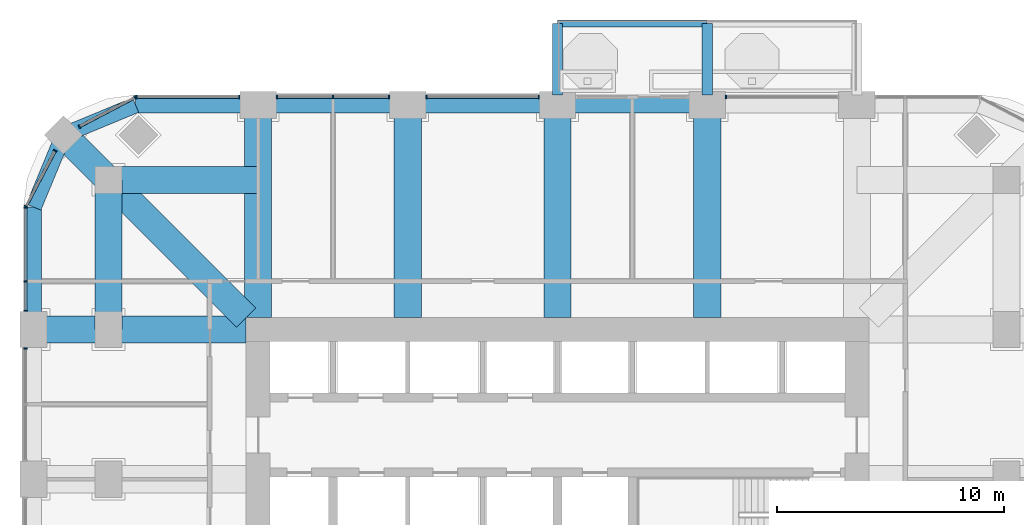
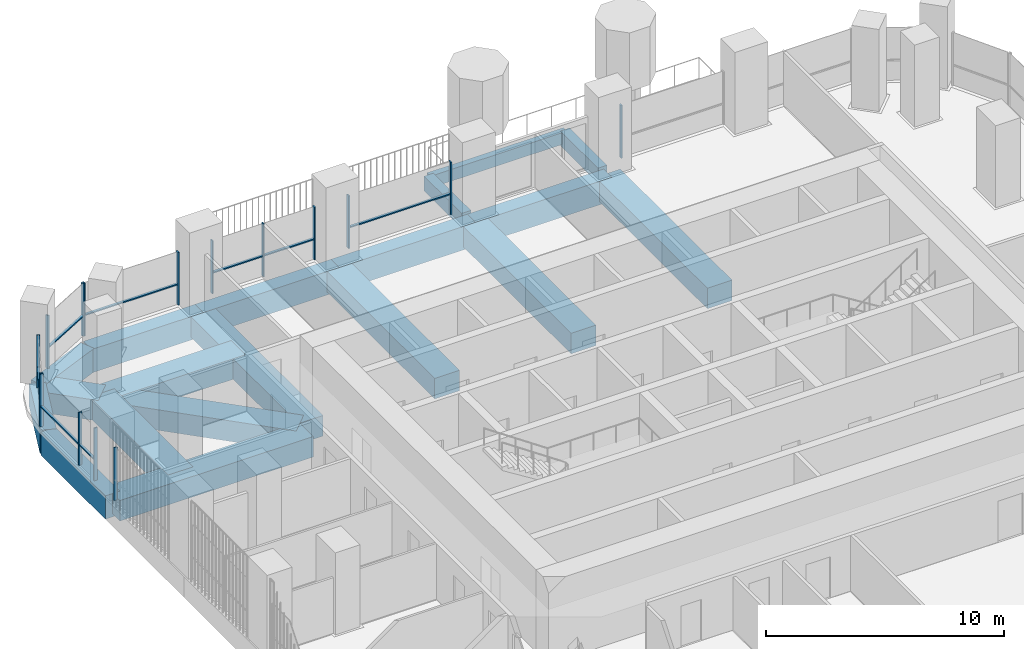
# One storey, part 6 of 19: 24 members, 19 beams, 8 elements without a shape of their own.
"""IFC4 building model written with IfcOpenShell, lengths in metres."""

from ifc_helpers import new_model, si_unit, direction, frame, origin, origin_2d, place, context, subcontext, project, spatial, rectangle, extrude, material, material_profile, profile_set, type_object, element, aggregate, save


model = new_model("IFC4")

# Units and contexts
model_context = context("Model", 3, precision=1e-05, world=origin(), true_north=direction((0.0, 1.0)))
body_context = subcontext(model_context, "Body", "Model", "MODEL_VIEW")
ifc_project = project(units=[si_unit("LENGTHUNIT", "METRE"), si_unit("AREAUNIT", "SQUARE_METRE"), si_unit("VOLUMEUNIT", "CUBIC_METRE"), si_unit("PLANEANGLEUNIT", "RADIAN"), si_unit("MASSUNIT", "GRAM", prefix="KILO")], contexts=[model_context])

# Site, building, storey
site_placement = place(None, origin())
site = spatial("IfcSite", under=ifc_project, at=site_placement, CompositionType="ELEMENT")
building_placement = place(site_placement, origin())
building = spatial("IfcBuilding", under=site, at=building_placement, Name="Cobogo Forest Laboratory Tower", CompositionType="ELEMENT")
storey_placement = place(building_placement, frame((0.0, 0.0, 164.10009765625)))
storey = spatial("IfcBuildingStorey", under=building, at=storey_placement, Name="L37", CompositionType="ELEMENT", Elevation=164.10009765625)

# Beams
ifc_material_1 = material(Name="Concrete HA-40 (C40/50)", Category="concrete")
ifc_material_profile_1 = material_profile(ifc_material_1, rectangle(XDim=0.449951171875, YDim=0.75, at=origin_2d()), Name="RC 450x750")
ifc_profile_set_1 = profile_set([ifc_material_profile_1], Name="Concrete HA-40 (C40/50)")
beam_type_1 = type_object("IfcBeamType", Name="Balcony cantilever beam 450x750", PredefinedType="BEAM", material=ifc_profile_set_1)
for number, where, z_axis, x_axis, name in (
    (1, (26.39990234375, 43.35009765625, -0.625), (0.0, 1.0, 0.0), (-1.0, 0.0, 0.0), "CB1 BAL-N1-C1 L37"),
    (2, (33.0, 43.35009765625, -0.625), (0.0, 1.0, 0.0), (-1.0, 0.0, 0.0), "CB1 BAL-N1-C2 L37"),
):
    element("IfcBeam", number, at=place(storey_placement, frame(where, z_axis=z_axis, x_axis=x_axis)), inside=storey, type_object=beam_type_1, Name=name, PredefinedType="BEAM", context=body_context, shape_type="SweptSolid", body=[
        extrude(rectangle(XDim=0.449951171875, YDim=0.75, at=origin_2d()), origin(), (0.0, 0.0, 1.0), 3.14990234375),
    ])
ifc_material_profile_2 = material_profile(ifc_material_1, rectangle(XDim=0.300048828125, YDim=0.60009765625, at=origin_2d()), Name="RC 300x600")
ifc_profile_set_2 = profile_set([ifc_material_profile_2], Name="Concrete HA-40 (C40/50)")
beam_type_2 = type_object("IfcBeamType", Name="Balcony edge beam 300x600", PredefinedType="BEAM", material=ifc_profile_set_2)
beam_1_placement = place(storey_placement, frame((26.39990234375, 46.5, -0.550048828125), z_axis=(1.0, 0.0, 0.0), x_axis=(0.0, 1.0, 0.0)))
element("IfcBeam", 3, at=beam_1_placement, inside=storey, type_object=beam_type_2, Name="BB1 BAL-N1-T1 L37", PredefinedType="BEAM", context=body_context, shape_type="SweptSolid", body=[
    extrude(rectangle(XDim=0.300048828125, YDim=0.60009765625, at=origin_2d()), origin(), (0.0, 0.0, 1.0), 6.60009765625),
])
ifc_material_profile_3 = material_profile(ifc_material_1, rectangle(XDim=1.199951171875, YDim=1.050048828125, at=origin_2d()), Name="RC 1200x1050")
ifc_profile_set_3 = profile_set([ifc_material_profile_3], Name="Concrete HA-40 (C40/50)")
beam_type_3 = type_object("IfcBeamType", Name="Laboratory floor wide beam 1200x1050", PredefinedType="BEAM", material=ifc_profile_set_3)
for number, where, z_axis, x_axis, name in (
    (4, (13.199951171875, 33.52490234375, -0.8251953125), (0.0, 1.0, 0.0), (-1.0, 0.0, 0.0), "RB1 R-3-N L37"),
    (5, (19.800048828125, 33.52490234375, -0.8251953125), (0.0, 1.0, 0.0), (-1.0, 0.0, 0.0), "RB1 R-4-N L37"),
    (6, (26.39990234375, 33.52490234375, -0.8251953125), (0.0, 1.0, 0.0), (-1.0, 0.0, 0.0), "RB1 R-5-N L37"),
    (7, (33.0, 33.52490234375, -0.8251953125), (0.0, 1.0, 0.0), (-1.0, 0.0, 0.0), "RB1 R-6-N L37"),
    (8, (12.675048828125, 33.0, -0.8251953125), (-1.0, 0.0, 0.0), (0.0, -1.0, 0.0), "RB1 R-F-W L37"),
):
    element("IfcBeam", number, at=place(storey_placement, frame(where, z_axis=z_axis, x_axis=x_axis)), inside=storey, type_object=beam_type_3, Name=name, PredefinedType="BEAM", context=body_context, shape_type="SweptSolid", body=[
        extrude(rectangle(XDim=1.199951171875, YDim=1.050048828125, at=origin_2d()), origin(), (0.0, 0.0, 1.0), 9.375),
    ])
beam_2_placement = place(storey_placement, frame((6.60009765625, 39.60009765625, -0.8251953125), z_axis=(0.0, -1.0, 0.0), x_axis=(1.0, 0.0, 0.0)))
element("IfcBeam", 9, at=beam_2_placement, inside=storey, type_object=beam_type_3, Name="RB1 G-NW-XC L37", PredefinedType="BEAM", context=body_context, shape_type="SweptSolid", body=[
    extrude(rectangle(XDim=1.199951171875, YDim=1.050048828125, at=origin_2d()), origin(), (0.0, 0.0, 1.0), 6.60009765625),
])
beam_3_placement = place(storey_placement, frame((6.60009765625, 39.60009765625, -0.8251953125), z_axis=(1.0, 0.0, 0.0), x_axis=(0.0, 1.0, 0.0)))
element("IfcBeam", 10, at=beam_3_placement, inside=storey, type_object=beam_type_3, Name="RB1 G-NW-YC L37", PredefinedType="BEAM", context=body_context, shape_type="SweptSolid", body=[
    extrude(rectangle(XDim=1.199951171875, YDim=1.050048828125, at=origin_2d()), origin(), (0.0, 0.0, 1.0), 6.599853515625),
])
beam_4_placement = place(storey_placement, frame((4.617919921875, 41.58203125, -0.8251953125), z_axis=(0.707150328948, -0.707063230743, 0.0), x_axis=(0.707063230743, 0.707150328948, 0.0)))
element("IfcBeam", 11, at=beam_4_placement, inside=storey, type_object=beam_type_3, Name="RB1 G-NW-D1 L37", PredefinedType="BEAM", context=body_context, shape_type="SweptSolid", body=[
    extrude(rectangle(XDim=1.199951171875, YDim=1.050048828125, at=origin_2d()), origin(), (0.0, 0.0, 1.0), 2.802978515625),
])
beam_5_placement = place(storey_placement, frame((6.60009765625, 39.60009765625, -0.8251953125), z_axis=(0.707092572697, -0.70712098939, 0.0), x_axis=(0.70712098939, 0.707092572697, 0.0)))
element("IfcBeam", 12, at=beam_5_placement, inside=storey, type_object=beam_type_3, Name="RB1 G-NW-D2 L37", PredefinedType="BEAM", context=body_context, shape_type="SweptSolid", body=[
    extrude(rectangle(XDim=1.199951171875, YDim=1.050048828125, at=origin_2d()), origin(), (0.0, 0.0, 1.0), 8.591552734375),
])

# Curtain wall, member
ifc_material_2 = material(Name="Aluminium curtain wall", Category="aluminium")
curtain_wall_type = type_object("IfcCurtainWallType", Name="CW-2 unitised curtain wall, solar control glazing, laboratory floors zones C and D", PredefinedType="USERDEFINED", material=ifc_material_2)
curtain_wall_1_placement = place(storey_placement, origin())
curtain_wall_1 = element("IfcCurtainWall", 13, at=curtain_wall_1_placement, inside=storey, type_object=curtain_wall_type, Name="Curtain wall 17 L37", ObjectType="UNITISED CURTAIN WALL", PredefinedType="USERDEFINED")
ifc_material_3 = material(Name="Aluminium mullion", Category="aluminium")
ifc_material_profile_4 = material_profile(ifc_material_3, rectangle(XDim=0.06005859375, YDim=0.159912109375, at=origin_2d()), Name="AL 60x160")
ifc_profile_set_4 = profile_set([ifc_material_profile_4], Name="Aluminium mullion")
member_type_1 = type_object("IfcMemberType", Name="MU-1 aluminium mullion 60x160", PredefinedType="MULLION", material=ifc_profile_set_4)
member_1_placement = place(storey_placement, frame((33.830078125, 43.25, 0.0), z_axis=(0.0, 0.0, 1.0), x_axis=(-1.0, 0.0, 0.0)))
member_1 = element("IfcMember", 14, at=member_1_placement, type_object=member_type_1, Name="CW-2 mullion 2", PredefinedType="MULLION", context=body_context, shape_type="SweptSolid", body=[
    extrude(rectangle(XDim=0.06005859375, YDim=0.159912109375, at=origin_2d()), origin(), (0.0, 0.0, 1.0), 2.699951171875),
])
aggregate(curtain_wall_1, [member_1])

# Curtain wall, members
curtain_wall_2_placement = place(storey_placement, origin())
curtain_wall_2 = element("IfcCurtainWall", 15, at=curtain_wall_2_placement, inside=storey, type_object=curtain_wall_type, Name="Curtain wall 19 L37", ObjectType="UNITISED CURTAIN WALL", PredefinedType="USERDEFINED")
member_2_placement = place(storey_placement, frame((25.570068359375, 43.25, 0.0), z_axis=(0.0, 0.0, 1.0), x_axis=(-1.0, 0.0, 0.0)))
member_2 = element("IfcMember", 16, at=member_2_placement, type_object=member_type_1, Name="CW-2 mullion 1", PredefinedType="MULLION", context=body_context, shape_type="SweptSolid", body=[
    extrude(rectangle(XDim=0.06005859375, YDim=0.159912109375, at=origin_2d()), origin(), (0.0, 0.0, 1.0), 2.699951171875),
])
member_3_placement = place(storey_placement, frame((20.6298828125, 43.25, 0.0), z_axis=(0.0, 0.0, 1.0), x_axis=(-1.0, 0.0, 0.0)))
member_3 = element("IfcMember", 17, at=member_3_placement, type_object=member_type_1, Name="CW-2 mullion 2", PredefinedType="MULLION", context=body_context, shape_type="SweptSolid", body=[
    extrude(rectangle(XDim=0.06005859375, YDim=0.159912109375, at=origin_2d()), origin(), (0.0, 0.0, 1.0), 2.699951171875),
])

curtain_wall_3_placement = place(storey_placement, origin())
curtain_wall_3 = element("IfcCurtainWall", 18, at=curtain_wall_3_placement, inside=storey, type_object=curtain_wall_type, Name="Curtain wall 20 L37", ObjectType="UNITISED CURTAIN WALL", PredefinedType="USERDEFINED")
member_4_placement = place(storey_placement, frame((18.969970703125, 43.25, 0.0), z_axis=(0.0, 0.0, 1.0), x_axis=(-1.0, 0.0, 0.0)))
member_4 = element("IfcMember", 19, at=member_4_placement, type_object=member_type_1, Name="CW-2 mullion 1", PredefinedType="MULLION", context=body_context, shape_type="SweptSolid", body=[
    extrude(rectangle(XDim=0.06005859375, YDim=0.159912109375, at=origin_2d()), origin(), (0.0, 0.0, 1.0), 2.699951171875),
])
member_5_placement = place(storey_placement, frame((16.5, 43.25, 0.0), z_axis=(0.0, 0.0, 1.0), x_axis=(-1.0, 0.0, 0.0)))
member_5 = element("IfcMember", 20, at=member_5_placement, type_object=member_type_1, Name="CW-2 mullion 2", PredefinedType="MULLION", context=body_context, shape_type="SweptSolid", body=[
    extrude(rectangle(XDim=0.06005859375, YDim=0.159912109375, at=origin_2d()), origin(), (0.0, 0.0, 1.0), 2.699951171875),
])
member_6_placement = place(storey_placement, frame((14.030029296875, 43.25, 0.0), z_axis=(0.0, 0.0, 1.0), x_axis=(-1.0, 0.0, 0.0)))
member_6 = element("IfcMember", 21, at=member_6_placement, type_object=member_type_1, Name="CW-2 mullion 3", PredefinedType="MULLION", context=body_context, shape_type="SweptSolid", body=[
    extrude(rectangle(XDim=0.06005859375, YDim=0.159912109375, at=origin_2d()), origin(), (0.0, 0.0, 1.0), 2.699951171875),
])

curtain_wall_4_placement = place(storey_placement, origin())
curtain_wall_4 = element("IfcCurtainWall", 22, at=curtain_wall_4_placement, inside=storey, type_object=curtain_wall_type, Name="Curtain wall 21 L37", ObjectType="UNITISED CURTAIN WALL", PredefinedType="USERDEFINED")
member_7_placement = place(storey_placement, frame((12.3701171875, 43.25, 0.0), z_axis=(0.0, 0.0, 1.0), x_axis=(-1.0, 0.0, 0.0)))
member_7 = element("IfcMember", 23, at=member_7_placement, type_object=member_type_1, Name="CW-2 mullion 1", PredefinedType="MULLION", context=body_context, shape_type="SweptSolid", body=[
    extrude(rectangle(XDim=0.06005859375, YDim=0.159912109375, at=origin_2d()), origin(), (0.0, 0.0, 1.0), 2.699951171875),
])
member_8_placement = place(storey_placement, frame((7.830078125, 43.25, 0.0), z_axis=(0.0, 0.0, 1.0), x_axis=(-1.0, 0.0, 0.0)))
member_8 = element("IfcMember", 24, at=member_8_placement, type_object=member_type_1, Name="CW-2 mullion 2", PredefinedType="MULLION", context=body_context, shape_type="SweptSolid", body=[
    extrude(rectangle(XDim=0.06005859375, YDim=0.159912109375, at=origin_2d()), origin(), (0.0, 0.0, 1.0), 2.699951171875),
])

curtain_wall_5_placement = place(storey_placement, origin())
curtain_wall_5 = element("IfcCurtainWall", 25, at=curtain_wall_5_placement, inside=storey, type_object=curtain_wall_type, Name="Curtain wall 22 L37", ObjectType="UNITISED CURTAIN WALL", PredefinedType="USERDEFINED")
member_9_placement = place(storey_placement, frame((7.7734375, 43.236083984375, 0.0), z_axis=(0.0, 0.0, 1.0), x_axis=(-0.885686477022, -0.464283818822, 0.0)))
member_9 = element("IfcMember", 26, at=member_9_placement, type_object=member_type_1, Name="CW-2 mullion 1", PredefinedType="MULLION", context=body_context, shape_type="SweptSolid", body=[
    extrude(rectangle(XDim=0.06005859375, YDim=0.159912109375, at=origin_2d()), origin(), (0.0, 0.0, 1.0), 2.699951171875),
])
member_10_placement = place(storey_placement, frame((5.322021484375, 41.950927734375, 0.0), z_axis=(0.0, 0.0, 1.0), x_axis=(-0.885686477022, -0.464283818822, 0.0)))
member_10 = element("IfcMember", 27, at=member_10_placement, type_object=member_type_1, Name="CW-2 mullion 2", PredefinedType="MULLION", context=body_context, shape_type="SweptSolid", body=[
    extrude(rectangle(XDim=0.06005859375, YDim=0.159912109375, at=origin_2d()), origin(), (0.0, 0.0, 1.0), 2.699951171875),
])

curtain_wall_6_placement = place(storey_placement, origin())
curtain_wall_6 = element("IfcCurtainWall", 28, at=curtain_wall_6_placement, inside=storey, type_object=curtain_wall_type, Name="Curtain wall 23 L37", ObjectType="UNITISED CURTAIN WALL", PredefinedType="USERDEFINED")
member_11_placement = place(storey_placement, frame((4.2490234375, 40.878173828125, 0.0), z_axis=(0.0, 0.0, 1.0), x_axis=(-0.464283818822, -0.885686477022, 0.0)))
member_11 = element("IfcMember", 29, at=member_11_placement, type_object=member_type_1, Name="CW-2 mullion 1", PredefinedType="MULLION", context=body_context, shape_type="SweptSolid", body=[
    extrude(rectangle(XDim=0.06005859375, YDim=0.159912109375, at=origin_2d()), origin(), (0.0, 0.0, 1.0), 2.699951171875),
])
member_12_placement = place(storey_placement, frame((2.9638671875, 38.426513671875, 0.0), z_axis=(0.0, 0.0, 1.0), x_axis=(-0.464283818822, -0.885686477022, 0.0)))
member_12 = element("IfcMember", 30, at=member_12_placement, type_object=member_type_1, Name="CW-2 mullion 2", PredefinedType="MULLION", context=body_context, shape_type="SweptSolid", body=[
    extrude(rectangle(XDim=0.06005859375, YDim=0.159912109375, at=origin_2d()), origin(), (0.0, 0.0, 1.0), 2.699951171875),
])

curtain_wall_7_placement = place(storey_placement, origin())
curtain_wall_7 = element("IfcCurtainWall", 31, at=curtain_wall_7_placement, inside=storey, type_object=curtain_wall_type, Name="Curtain wall 24 L37", ObjectType="UNITISED CURTAIN WALL", PredefinedType="USERDEFINED")
member_13_placement = place(storey_placement, frame((2.949951171875, 38.3701171875, 0.0), z_axis=(0.0, 0.0, 1.0), x_axis=(0.0, -1.0, 0.0)))
member_13 = element("IfcMember", 32, at=member_13_placement, type_object=member_type_1, Name="CW-2 mullion 1", PredefinedType="MULLION", context=body_context, shape_type="SweptSolid", body=[
    extrude(rectangle(XDim=0.06005859375, YDim=0.159912109375, at=origin_2d()), origin(), (0.0, 0.0, 1.0), 2.699951171875),
])
member_14_placement = place(storey_placement, frame((2.949951171875, 35.125, 0.0), z_axis=(0.0, 0.0, 1.0), x_axis=(0.0, -1.0, 0.0)))
member_14 = element("IfcMember", 33, at=member_14_placement, type_object=member_type_1, Name="CW-2 mullion 2", PredefinedType="MULLION", context=body_context, shape_type="SweptSolid", body=[
    extrude(rectangle(XDim=0.06005859375, YDim=0.159912109375, at=origin_2d()), origin(), (0.0, 0.0, 1.0), 2.699951171875),
])
member_15_placement = place(storey_placement, frame((2.949951171875, 33.830078125, 0.0), z_axis=(0.0, 0.0, 1.0), x_axis=(0.0, -1.0, 0.0)))
member_15 = element("IfcMember", 34, at=member_15_placement, type_object=member_type_1, Name="CW-2 mullion 3", PredefinedType="MULLION", context=body_context, shape_type="SweptSolid", body=[
    extrude(rectangle(XDim=0.06005859375, YDim=0.159912109375, at=origin_2d()), origin(), (0.0, 0.0, 1.0), 2.699951171875),
])

# Curtain wall, member
curtain_wall_8_placement = place(storey_placement, origin())
curtain_wall_8 = element("IfcCurtainWall", 35, at=curtain_wall_8_placement, inside=storey, type_object=curtain_wall_type, Name="Curtain wall 25 L37", ObjectType="UNITISED CURTAIN WALL", PredefinedType="USERDEFINED")
member_16_placement = place(storey_placement, frame((2.949951171875, 32.169921875, 0.0), z_axis=(0.0, 0.0, 1.0), x_axis=(0.0, -1.0, 0.0)))
member_16 = element("IfcMember", 36, at=member_16_placement, type_object=member_type_1, Name="CW-2 mullion 1", PredefinedType="MULLION", context=body_context, shape_type="SweptSolid", body=[
    extrude(rectangle(XDim=0.06005859375, YDim=0.159912109375, at=origin_2d()), origin(), (0.0, 0.0, 1.0), 2.699951171875),
])
aggregate(curtain_wall_8, [member_16])

# Beams
ifc_material_profile_5 = material_profile(ifc_material_1, rectangle(XDim=0.699951171875, YDim=1.199951171875, at=origin_2d()), Name="RC 700x1200")
ifc_profile_set_5 = profile_set([ifc_material_profile_5], Name="Concrete HA-40 (C40/50)")
beam_type_4 = type_object("IfcBeamType", Name="Perimeter edge beam 700x1200", PredefinedType="BEAM", material=ifc_profile_set_5)
beam_6_placement = place(storey_placement, frame((13.199951171875, 42.89990234375, -0.900146484375), z_axis=(1.0, 0.0, 0.0), x_axis=(0.0, 1.0, 0.0)))
element("IfcBeam", 37, at=beam_6_placement, inside=storey, type_object=beam_type_4, Name="EB1 E-N1 L37", PredefinedType="BEAM", context=body_context, shape_type="SweptSolid", body=[
    extrude(rectangle(XDim=0.699951171875, YDim=1.199951171875, at=origin_2d()), origin(), (0.0, 0.0, 1.0), 6.60009765625),
])
beam_7_placement = place(storey_placement, frame((19.800048828125, 42.89990234375, -0.900146484375), z_axis=(1.0, 0.0, 0.0), x_axis=(0.0, 1.0, 0.0)))
element("IfcBeam", 38, at=beam_7_placement, inside=storey, type_object=beam_type_4, Name="EB1 E-N2 L37", PredefinedType="BEAM", context=body_context, shape_type="SweptSolid", body=[
    extrude(rectangle(XDim=0.699951171875, YDim=1.199951171875, at=origin_2d()), origin(), (0.0, 0.0, 1.0), 6.599853515625),
])
beam_8_placement = place(storey_placement, frame((26.39990234375, 42.89990234375, -0.900146484375), z_axis=(1.0, 0.0, 0.0), x_axis=(0.0, 1.0, 0.0)))
element("IfcBeam", 39, at=beam_8_placement, inside=storey, type_object=beam_type_4, Name="EB1 E-N3 L37", PredefinedType="BEAM", context=body_context, shape_type="SweptSolid", body=[
    extrude(rectangle(XDim=0.699951171875, YDim=1.199951171875, at=origin_2d()), origin(), (0.0, 0.0, 1.0), 6.60009765625),
])
beam_9_placement = place(storey_placement, frame((13.199951171875, 42.89990234375, -0.900146484375), z_axis=(-1.0, 0.0, 0.0), x_axis=(0.0, -1.0, 0.0)))
element("IfcBeam", 40, at=beam_9_placement, inside=storey, type_object=beam_type_4, Name="EB1 E-NWN1 L37", PredefinedType="BEAM", context=body_context, shape_type="SweptSolid", body=[
    extrude(rectangle(XDim=0.699951171875, YDim=1.199951171875, at=origin_2d()), origin(), (0.0, 0.0, 1.0), 5.39990234375),
])
beam_10_placement = place(storey_placement, frame((7.800048828125, 42.89990234375, -0.900146484375), z_axis=(-0.923901072997, -0.382631424892, 0.0), x_axis=(0.382631424892, -0.923901072997, 0.0)))
element("IfcBeam", 41, at=beam_10_placement, inside=storey, type_object=beam_type_4, Name="EB1 E-NWN2 L37", PredefinedType="BEAM", context=body_context, shape_type="SweptSolid", body=[
    extrude(rectangle(XDim=0.699951171875, YDim=1.199951171875, at=origin_2d()), origin(), (0.0, 0.0, 1.0), 3.4443359375),
])
beam_11_placement = place(storey_placement, frame((3.300048828125, 33.0, -0.900146484375), z_axis=(0.0, 1.0, 0.0), x_axis=(-1.0, 0.0, 0.0)))
element("IfcBeam", 42, at=beam_11_placement, inside=storey, type_object=beam_type_4, Name="EB1 E-NWW1 L37", PredefinedType="BEAM", context=body_context, shape_type="SweptSolid", body=[
    extrude(rectangle(XDim=0.699951171875, YDim=1.199951171875, at=origin_2d()), origin(), (0.0, 0.0, 1.0), 5.39990234375),
])
beam_12_placement = place(storey_placement, frame((3.300048828125, 38.39990234375, -0.900146484375), z_axis=(0.382631424892, 0.923901072997, 0.0), x_axis=(-0.923901072997, 0.382631424892, 0.0)))
element("IfcBeam", 43, at=beam_12_placement, inside=storey, type_object=beam_type_4, Name="EB1 E-NWW2 L37", PredefinedType="BEAM", context=body_context, shape_type="SweptSolid", body=[
    extrude(rectangle(XDim=0.699951171875, YDim=1.199951171875, at=origin_2d()), origin(), (0.0, 0.0, 1.0), 3.4443359375),
])

# Member
ifc_material_4 = material(Name="Aluminium transom", Category="aluminium")
ifc_material_profile_6 = material_profile(ifc_material_4, rectangle(XDim=0.1201171875, YDim=0.06005859375, at=origin_2d()), Name="AL 60x120")
ifc_profile_set_6 = profile_set([ifc_material_profile_6], Name="Aluminium transom")
member_type_2 = type_object("IfcMemberType", Name="TR-1 aluminium transom 60x120", PredefinedType="USERDEFINED", material=ifc_profile_set_6)
member_17_placement = place(storey_placement, frame((25.5400390625, 43.25, 1.0498046875), z_axis=(-1.0, 0.0, 0.0), x_axis=(0.0, -1.0, 0.0)))
member_17 = element("IfcMember", 44, at=member_17_placement, type_object=member_type_2, Name="CW-2 transom 1.1", ObjectType="TRANSOM", PredefinedType="USERDEFINED", context=body_context, shape_type="SweptSolid", body=[
    extrude(rectangle(XDim=0.1201171875, YDim=0.06005859375, at=origin_2d()), origin(), (0.0, 0.0, 1.0), 4.880126953125),
])

aggregate(curtain_wall_2, [member_2, member_3, member_17])

member_18_placement = place(storey_placement, frame((18.93994140625, 43.25, 1.0498046875), z_axis=(-1.0, 0.0, 0.0), x_axis=(0.0, -1.0, 0.0)))
member_18 = element("IfcMember", 45, at=member_18_placement, type_object=member_type_2, Name="CW-2 transom 1.1", ObjectType="TRANSOM", PredefinedType="USERDEFINED", context=body_context, shape_type="SweptSolid", body=[
    extrude(rectangle(XDim=0.1201171875, YDim=0.06005859375, at=origin_2d()), origin(), (0.0, 0.0, 1.0), 2.409912109375),
])

member_19_placement = place(storey_placement, frame((16.469970703125, 43.25, 1.0498046875), z_axis=(-1.0, 0.0, 0.0), x_axis=(0.0, -1.0, 0.0)))
member_19 = element("IfcMember", 46, at=member_19_placement, type_object=member_type_2, Name="CW-2 transom 2.1", ObjectType="TRANSOM", PredefinedType="USERDEFINED", context=body_context, shape_type="SweptSolid", body=[
    extrude(rectangle(XDim=0.1201171875, YDim=0.06005859375, at=origin_2d()), origin(), (0.0, 0.0, 1.0), 2.409912109375),
])

aggregate(curtain_wall_3, [member_4, member_5, member_6, member_18, member_19])

member_20_placement = place(storey_placement, frame((12.340087890625, 43.25, 1.0498046875), z_axis=(-1.0, 0.0, 0.0), x_axis=(0.0, -1.0, 0.0)))
member_20 = element("IfcMember", 47, at=member_20_placement, type_object=member_type_2, Name="CW-2 transom 1.1", ObjectType="TRANSOM", PredefinedType="USERDEFINED", context=body_context, shape_type="SweptSolid", body=[
    extrude(rectangle(XDim=0.1201171875, YDim=0.06005859375, at=origin_2d()), origin(), (0.0, 0.0, 1.0), 4.47998046875),
])

aggregate(curtain_wall_4, [member_7, member_8, member_20])

member_21_placement = place(storey_placement, frame((7.746826171875, 43.22216796875, 1.0498046875), z_axis=(-0.885679732847, -0.464296684055, 0.0), x_axis=(0.464296684055, -0.885679732847, 0.0)))
member_21 = element("IfcMember", 48, at=member_21_placement, type_object=member_type_2, Name="CW-2 transom 1.1", ObjectType="TRANSOM", PredefinedType="USERDEFINED", context=body_context, shape_type="SweptSolid", body=[
    extrude(rectangle(XDim=0.1201171875, YDim=0.06005859375, at=origin_2d()), origin(), (0.0, 0.0, 1.0), 2.7080078125),
])

aggregate(curtain_wall_5, [member_9, member_10, member_21])

member_22_placement = place(storey_placement, frame((4.235107421875, 40.8515625, 1.0498046875), z_axis=(-0.464296684055, -0.885679732847, 0.0), x_axis=(0.885679732847, -0.464296684055, 0.0)))
member_22 = element("IfcMember", 49, at=member_22_placement, type_object=member_type_2, Name="CW-2 transom 1.1", ObjectType="TRANSOM", PredefinedType="USERDEFINED", context=body_context, shape_type="SweptSolid", body=[
    extrude(rectangle(XDim=0.1201171875, YDim=0.06005859375, at=origin_2d()), origin(), (0.0, 0.0, 1.0), 2.7080078125),
])

aggregate(curtain_wall_6, [member_11, member_12, member_22])

member_23_placement = place(storey_placement, frame((2.949951171875, 38.340087890625, 1.0498046875), z_axis=(0.0, -1.0, 0.0), x_axis=(1.0, 0.0, 0.0)))
member_23 = element("IfcMember", 50, at=member_23_placement, type_object=member_type_2, Name="CW-2 transom 1.1", ObjectType="TRANSOM", PredefinedType="USERDEFINED", context=body_context, shape_type="SweptSolid", body=[
    extrude(rectangle(XDim=0.1201171875, YDim=0.06005859375, at=origin_2d()), origin(), (0.0, 0.0, 1.0), 3.18505859375),
])

member_24_placement = place(storey_placement, frame((2.949951171875, 35.094970703125, 1.0498046875), z_axis=(0.0, -1.0, 0.0), x_axis=(1.0, 0.0, 0.0)))
member_24 = element("IfcMember", 51, at=member_24_placement, type_object=member_type_2, Name="CW-2 transom 2.1", ObjectType="TRANSOM", PredefinedType="USERDEFINED", context=body_context, shape_type="SweptSolid", body=[
    extrude(rectangle(XDim=0.1201171875, YDim=0.06005859375, at=origin_2d()), origin(), (0.0, 0.0, 1.0), 1.23486328125),
])

aggregate(curtain_wall_7, [member_13, member_14, member_15, member_23, member_24])

save(model, "model.ifc")
